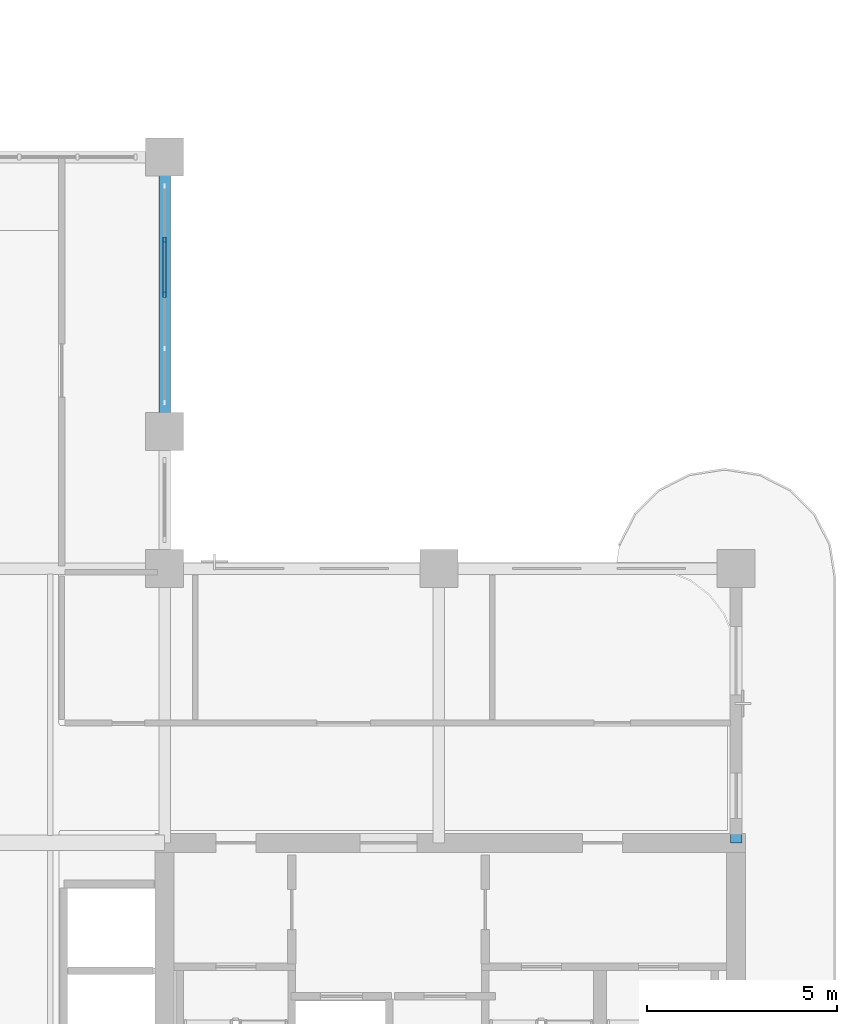
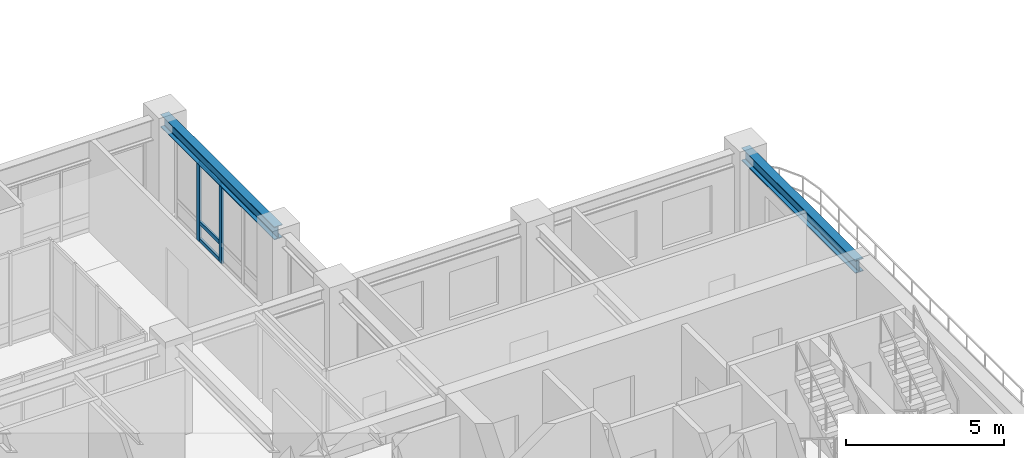
# One storey, part 4 of 21: 5 members, 2 beams, 1 element without a shape of its own.
"""IFC4 building model written with IfcOpenShell, lengths in metres."""

from ifc_helpers import new_model, si_unit, derived_unit, direction, frame, origin, origin_2d, place, context, subcontext, project, spatial, rectangle, i_section, extrude, source, transform, mapped, material, layer, layer_set, material_profile, profile_set, type_object, type_shapes, element, aggregate, save


model = new_model("IFC4")

# Units and contexts
model_context = context("Model", 3, precision=1e-05, world=origin(), true_north=direction((0.0, 1.0)))
body_context = subcontext(model_context, "Body", "Model", "MODEL_VIEW")
ifc_project = project(units=[si_unit("LENGTHUNIT", "METRE"), si_unit("AREAUNIT", "SQUARE_METRE"), si_unit("VOLUMEUNIT", "CUBIC_METRE"), si_unit("PLANEANGLEUNIT", "RADIAN"), si_unit("MASSUNIT", "GRAM", prefix="KILO"), si_unit("THERMODYNAMICTEMPERATUREUNIT", "KELVIN"), si_unit("POWERUNIT", "WATT"), derived_unit("THERMALTRANSMITTANCEUNIT", [(si_unit("POWERUNIT", "WATT"), 1), (si_unit("AREAUNIT", "SQUARE_METRE"), -1), (si_unit("THERMODYNAMICTEMPERATUREUNIT", "KELVIN"), -1)])], contexts=[model_context])

# Site, building, storey
site_placement = place(None, origin())
site = spatial("IfcSite", under=ifc_project, at=site_placement, CompositionType="ELEMENT")
building_placement = place(site_placement, origin())
building = spatial("IfcBuilding", under=site, at=building_placement, Name="Zahravan Archway Hotel and Residences", CompositionType="ELEMENT")
storey_placement = place(building_placement, frame((0.0, 0.0, 169.550048828125)))
storey = spatial("IfcBuildingStorey", under=building, at=storey_placement, Name="L42", CompositionType="ELEMENT", Elevation=169.550048828125)

# Beams
ifc_material_1 = material(Name="Structural Steel S355JR", Category="steel")
ifc_material_profile_1 = material_profile(ifc_material_1, i_section(OverallWidth=0.300048828125, OverallDepth=0.5, WebThickness=0.014404296875, FlangeThickness=0.028076171875, FilletRadius=0.027099609375, at=origin_2d()), Name="HEB 500", Category="steel")
ifc_profile_set_1 = profile_set([ifc_material_profile_1], Name="Structural Steel S355JR")
beam_type = type_object("IfcBeamType", Name="BM-PRI-HEB500", PredefinedType="BEAM", material=ifc_profile_set_1)
shared_shape_1 = source(origin(), body_context, "Body", "SweptSolid", [
    extrude(i_section(OverallWidth=0.300048828125, OverallDepth=0.5, WebThickness=0.014404296875, FlangeThickness=0.028076171875, FilletRadius=0.027099609375, at=origin_2d()), origin(), (0.0, 0.0, 1.0), 7.2001953125),
])
type_shapes(beam_type, [shared_shape_1])
beam_1_placement = place(storey_placement, frame((49.800048828125, 14.39990234375, 3.349853515625), z_axis=(0.0, 1.0, 0.0), x_axis=(-1.0, 0.0, 0.0)))
element("IfcBeam", 1, at=beam_1_placement, inside=storey, type_object=beam_type, Name="L42 Primary Girder NS-45", PredefinedType="BEAM", context=body_context, shape_type="MappedRepresentation", body=[
    mapped(shared_shape_1, transform((0.0, 0.0, 0.0), scale=1.0)),
])
shared_shape_2 = source(origin(), body_context, "Body", "SweptSolid", [
    extrude(i_section(OverallWidth=0.300048828125, OverallDepth=0.5, WebThickness=0.014404296875, FlangeThickness=0.028076171875, FilletRadius=0.027099609375, at=origin_2d()), origin(), (0.0, 0.0, 1.0), 7.199951171875),
])
beam_2_placement = place(storey_placement, frame((34.800048828125, 25.199951171875, 3.349853515625), z_axis=(0.0, 1.0, 0.0), x_axis=(-1.0, 0.0, 0.0)))
element("IfcBeam", 2, at=beam_2_placement, inside=storey, type_object=beam_type, Name="L42 Primary Girder NS-43", PredefinedType="BEAM", context=body_context, shape_type="MappedRepresentation", body=[
    mapped(shared_shape_2, transform((0.0, 0.0, 0.0), scale=1.0)),
])

# Curtain wall, members
ifc_material_2 = material(Name="Bronze-Anodized Unitised Aluminium & Low-E Glass", Category="aluminium")
ifc_layer = layer(ifc_material_2, 0.179931640625, Name="Bronze-Anodized Unitised Aluminium & Low-E Glass", Category="aluminium")
ifc_layer_set = layer_set([ifc_layer], Name="Bronze-Anodized Unitised Aluminium & Low-E Glass")
curtain_wall_type = type_object("IfcCurtainWallType", Name="CW-ATR-GLAZ", PredefinedType="NOTDEFINED", material=ifc_layer_set)
curtain_wall_placement = place(storey_placement, origin())
curtain_wall = element("IfcCurtainWall", 3, at=curtain_wall_placement, inside=storey, type_object=curtain_wall_type, Name="L42 Curtain Wall CW-L42-HNG-E-2", PredefinedType="NOTDEFINED")
ifc_material_3 = material(Name="Bronze-Anodized Extruded Aluminium", Category="aluminium")
ifc_material_profile_2 = material_profile(ifc_material_3, rectangle(XDim=0.080078125, YDim=0.139892578125, at=origin_2d()), Name="TRN 80x140", Category="aluminium")
ifc_profile_set_2 = profile_set([ifc_material_profile_2], Name="Bronze-Anodized Extruded Aluminium")
member_type_1 = type_object("IfcMemberType", Name="CWM-TRN-140", PredefinedType="USERDEFINED", material=ifc_profile_set_2)
shared_shape_3 = source(origin(), body_context, "Body", "SweptSolid", [
    extrude(rectangle(XDim=0.080078125, YDim=0.139892578125, at=origin_2d()), origin(), (0.0, 0.0, 1.0), 1.33984375),
])
member_1_placement = place(storey_placement, frame((34.800048828125, 28.840087890625, 0.070068359375), z_axis=(0.0, 1.0, 0.0), x_axis=(-1.0, 0.0, 0.0)))
member_1 = element("IfcMember", 4, at=member_1_placement, type_object=member_type_1, Name="CW-L42-HNG-E-2 Transom 2-1", ObjectType="TRANSOM", PredefinedType="USERDEFINED", context=body_context, shape_type="MappedRepresentation", body=[
    mapped(shared_shape_3, transform((0.0, 0.0, 0.0), scale=1.0)),
])
member_2_placement = place(storey_placement, frame((34.800048828125, 28.840087890625, 0.740234375), z_axis=(0.0, 1.0, 0.0), x_axis=(-1.0, 0.0, 0.0)))
member_2 = element("IfcMember", 5, at=member_2_placement, type_object=member_type_1, Name="CW-L42-HNG-E-2 Transom 2-2", ObjectType="TRANSOM", PredefinedType="USERDEFINED", context=body_context, shape_type="MappedRepresentation", body=[
    mapped(shared_shape_3, transform((0.0, 0.0, 0.0), scale=1.0)),
])
member_3_placement = place(storey_placement, frame((34.800048828125, 28.840087890625, 3.014892578125), z_axis=(0.0, 1.0, 0.0), x_axis=(-1.0, 0.0, 0.0)))
member_3 = element("IfcMember", 6, at=member_3_placement, type_object=member_type_1, Name="CW-L42-HNG-E-2 Transom 2-3", ObjectType="TRANSOM", PredefinedType="USERDEFINED", context=body_context, shape_type="MappedRepresentation", body=[
    mapped(shared_shape_3, transform((0.0, 0.0, 0.0), scale=1.0)),
])
ifc_material_profile_3 = material_profile(ifc_material_3, rectangle(XDim=0.080078125, YDim=0.159912109375, at=origin_2d()), Name="MUL 80x160", Category="aluminium")
ifc_profile_set_3 = profile_set([ifc_material_profile_3], Name="Bronze-Anodized Extruded Aluminium")
member_type_2 = type_object("IfcMemberType", Name="CWM-MUL-160", PredefinedType="MULLION", material=ifc_profile_set_3)
shared_shape_4 = source(origin(), body_context, "Body", "SweptSolid", [
    extrude(rectangle(XDim=0.080078125, YDim=0.159912109375, at=origin_2d()), origin(), (0.0, 0.0, 1.0), 3.0849609375),
])
member_4_placement = place(storey_placement, frame((34.800048828125, 28.800048828125, 0.0), z_axis=(0.0, 0.0, 1.0), x_axis=(1.0, 0.0, 0.0)))
member_4 = element("IfcMember", 7, at=member_4_placement, type_object=member_type_2, Name="CW-L42-HNG-E-2 Mullion 2", PredefinedType="MULLION", context=body_context, shape_type="MappedRepresentation", body=[
    mapped(shared_shape_4, transform((0.0, 0.0, 0.0), scale=1.0)),
])
member_5_placement = place(storey_placement, frame((34.800048828125, 30.219970703125, 0.0), z_axis=(0.0, 0.0, 1.0), x_axis=(1.0, 0.0, 0.0)))
member_5 = element("IfcMember", 8, at=member_5_placement, type_object=member_type_2, Name="CW-L42-HNG-E-2 Mullion 3", PredefinedType="MULLION", context=body_context, shape_type="MappedRepresentation", body=[
    mapped(shared_shape_4, transform((0.0, 0.0, 0.0), scale=1.0)),
])
aggregate(curtain_wall, [member_4, member_5, member_1, member_2, member_3])

save(model, "model.ifc")
